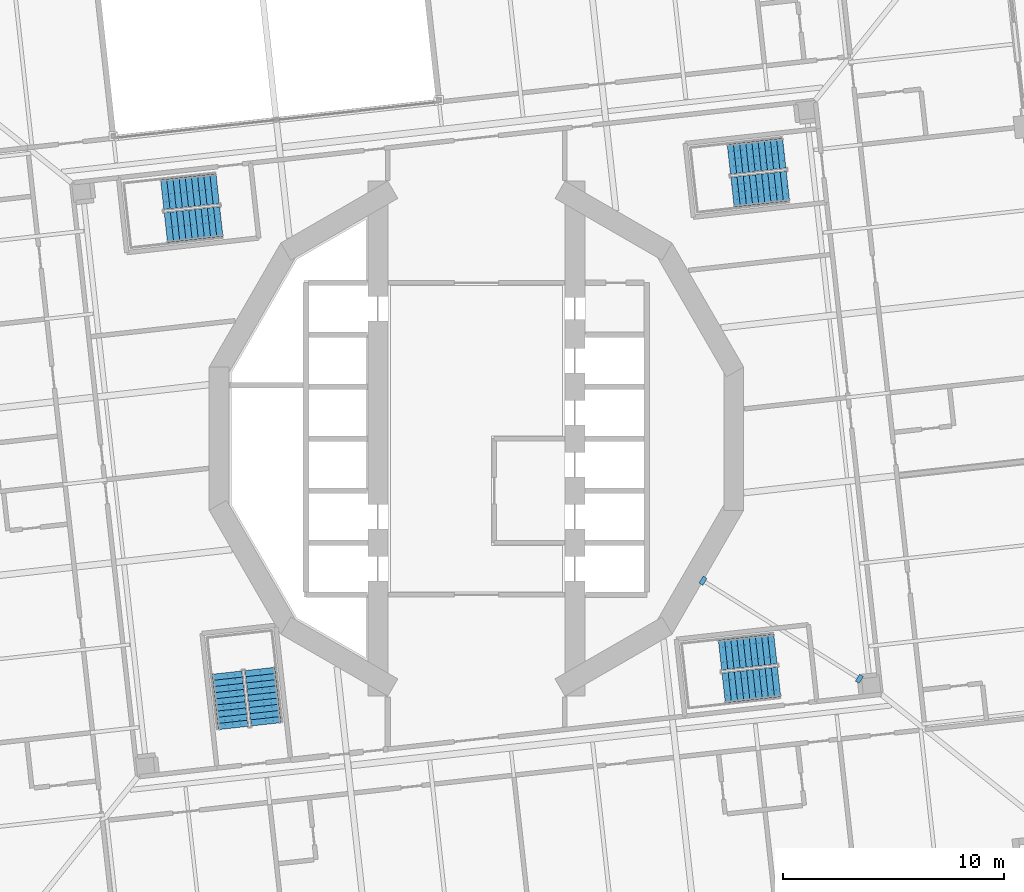
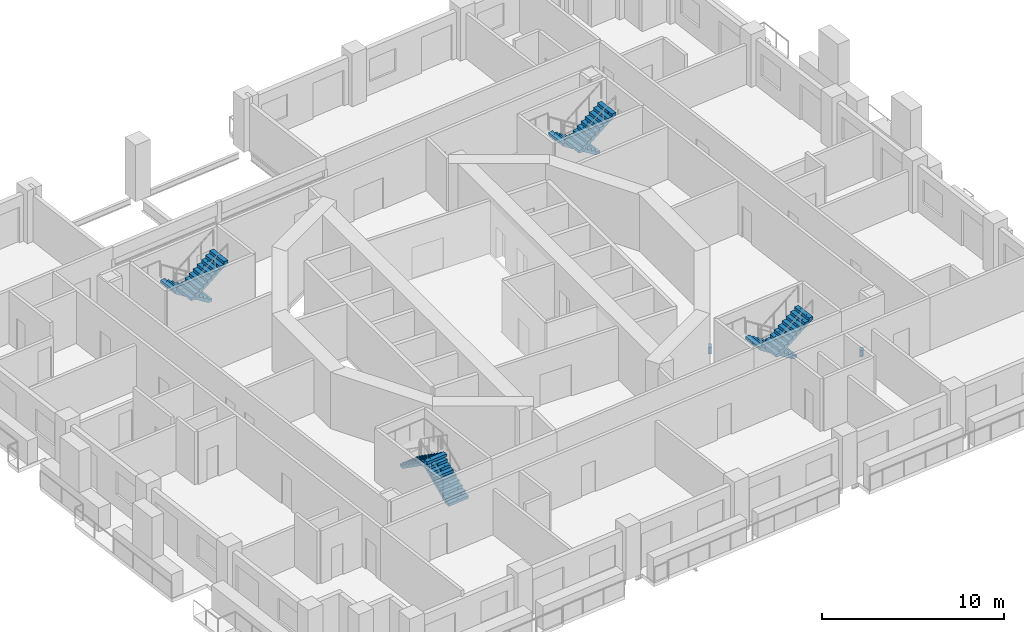
# One storey, part 13 of 21: 8 stair flights, 2 discrete accessories, 4 elements without a shape of their own.
"""IFC4 building model written with IfcOpenShell, lengths in metres."""

from ifc_helpers import new_model, si_unit, direction, frame, origin, place, context, subcontext, project, spatial, polyline, outline, extrude, material, layer, layer_set, type_object, element, aggregate, save


model = new_model("IFC4")

# Units and contexts
model_context = context("Model", 3, precision=1e-05, world=origin(), true_north=direction((0.0, 1.0)))
body_context = subcontext(model_context, "Body", "Model", "MODEL_VIEW")
ifc_project = project(units=[si_unit("LENGTHUNIT", "METRE"), si_unit("AREAUNIT", "SQUARE_METRE"), si_unit("VOLUMEUNIT", "CUBIC_METRE"), si_unit("PLANEANGLEUNIT", "RADIAN"), si_unit("MASSUNIT", "GRAM", prefix="KILO")], contexts=[model_context])

# Site, building, storey
site_placement = place(None, origin())
site = spatial("IfcSite", under=ifc_project, at=site_placement, CompositionType="ELEMENT")
building_placement = place(site_placement, origin())
building = spatial("IfcBuilding", under=site, at=building_placement, Name="Cantera Rosa Tower", CompositionType="ELEMENT")
storey_placement = place(building_placement, frame((0.0, 0.0, 57.699951171875)))
storey = spatial("IfcBuildingStorey", under=building, at=storey_placement, Name="L11", CompositionType="ELEMENT", Elevation=57.699951171875)

# Stair, stair flights
ifc_material_1 = material(Name="Concrete C35/45", Category="concrete")
stair_type = type_object("IfcStairType", Name="EXIT STAIR 1350 DOGLEG", PredefinedType="HALF_TURN_STAIR", material=ifc_material_1)
stair_1_placement = place(storey_placement, origin())
stair_1 = element("IfcStair", 1, at=stair_1_placement, inside=storey, type_object=stair_type, Name="L11 ST-11", PredefinedType="HALF_TURN_STAIR")
ifc_material_2 = material(Name="Concrete C35/45", Category="concrete")
stair_flight_type = type_object("IfcStairFlightType", Name="STAIR FLIGHT 1350 R20x190", PredefinedType="STRAIGHT", material=ifc_material_2)
stair_flight_1_placement = place(storey_placement, frame((13.90869140625, 12.89990234375, 0.0), z_axis=(0.0, 0.0, 1.0), x_axis=(-0.993896947056, -0.110312549749, 0.0)))
stair_flight_1 = element("IfcStairFlight", 2, at=stair_flight_1_placement, type_object=stair_flight_type, Name="ST-11 flight 1", NumberOfRisers=10, NumberOfTreads=9, PredefinedType="STRAIGHT", RiserHeight=0.19, TreadLength=0.28, context=body_context, shape_type="SweptSolid", body=[
    extrude(outline(polyline([(0.0, 0.0), (0.0, 0.18994140625), (0.280029296875, 0.18994140625), (0.280029296875, 0.3798828125), (0.56005859375, 0.3798828125), (0.56005859375, 0.570068359375), (0.840087890625, 0.570068359375), (0.840087890625, 0.760009765625), (1.1201171875, 0.760009765625), (1.1201171875, 0.949951171875), (1.39990234375, 0.949951171875), (1.39990234375, 1.139892578125), (1.679931640625, 1.139892578125), (1.679931640625, 1.330078125), (1.9599609375, 1.330078125), (1.9599609375, 1.52001953125), (2.239990234375, 1.52001953125), (2.239990234375, 1.7099609375), (2.52001953125, 1.7099609375), (2.52001953125, 1.89990234375), (2.52001953125, 1.52880859375), (0.266845703125, 0.0), (0.0, 0.0)])), frame((0.0, 0.675048828125, 0.0), z_axis=(0.0, -1.0, 0.0), x_axis=(1.0, 0.0, 0.0)), (0.0, 0.0, 1.0), 0.3359375),
    extrude(outline(polyline([(0.0, 0.0), (0.0, 0.18994140625), (0.280029296875, 0.18994140625), (0.280029296875, 0.3798828125), (0.56005859375, 0.3798828125), (0.56005859375, 0.570068359375), (0.840087890625, 0.570068359375), (0.840087890625, 0.760009765625), (1.1201171875, 0.760009765625), (1.1201171875, 0.949951171875), (1.39990234375, 0.949951171875), (1.39990234375, 1.139892578125), (1.679931640625, 1.139892578125), (1.679931640625, 1.330078125), (1.9599609375, 1.330078125), (1.9599609375, 1.52001953125), (2.239990234375, 1.52001953125), (2.239990234375, 1.7099609375), (2.52001953125, 1.7099609375), (2.52001953125, 1.89990234375), (2.52001953125, 1.52880859375), (0.266845703125, 0.0), (0.0, 0.0)])), frame((0.0, 0.337158203125, 0.0), z_axis=(0.0, -1.0, 0.0), x_axis=(1.0, 0.0, 0.0)), (0.0, 0.0, 1.0), 0.3359375),
    extrude(outline(polyline([(0.0, 0.0), (0.0, 0.18994140625), (0.280029296875, 0.18994140625), (0.280029296875, 0.3798828125), (0.56005859375, 0.3798828125), (0.56005859375, 0.570068359375), (0.840087890625, 0.570068359375), (0.840087890625, 0.760009765625), (1.1201171875, 0.760009765625), (1.1201171875, 0.949951171875), (1.39990234375, 0.949951171875), (1.39990234375, 1.139892578125), (1.679931640625, 1.139892578125), (1.679931640625, 1.330078125), (1.9599609375, 1.330078125), (1.9599609375, 1.52001953125), (2.239990234375, 1.52001953125), (2.239990234375, 1.7099609375), (2.52001953125, 1.7099609375), (2.52001953125, 1.89990234375), (2.52001953125, 1.52880859375), (0.266845703125, 0.0), (0.0, 0.0)])), frame((0.0, -0.000732421875, 0.0), z_axis=(0.0, -1.0, 0.0), x_axis=(1.0, 0.0, 0.0)), (0.0, 0.0, 1.0), 0.3359375),
    extrude(outline(polyline([(0.0, 0.0), (0.0, 0.18994140625), (0.280029296875, 0.18994140625), (0.280029296875, 0.3798828125), (0.56005859375, 0.3798828125), (0.56005859375, 0.570068359375), (0.840087890625, 0.570068359375), (0.840087890625, 0.760009765625), (1.1201171875, 0.760009765625), (1.1201171875, 0.949951171875), (1.39990234375, 0.949951171875), (1.39990234375, 1.139892578125), (1.679931640625, 1.139892578125), (1.679931640625, 1.330078125), (1.9599609375, 1.330078125), (1.9599609375, 1.52001953125), (2.239990234375, 1.52001953125), (2.239990234375, 1.7099609375), (2.52001953125, 1.7099609375), (2.52001953125, 1.89990234375), (2.52001953125, 1.52880859375), (0.266845703125, 0.0), (0.0, 0.0)])), frame((0.0, -0.338623046875, 0.0), z_axis=(0.0, -1.0, 0.0), x_axis=(1.0, 0.0, 0.0)), (0.0, 0.0, 1.0), 0.3359375),
])
stair_flight_2_placement = place(storey_placement, frame((11.569580078125, 11.131103515625, 1.900146484375), z_axis=(0.0, 0.0, 1.0), x_axis=(0.993896947056, 0.110312549749, 0.0)))
stair_flight_2 = element("IfcStairFlight", 3, at=stair_flight_2_placement, type_object=stair_flight_type, Name="ST-11 flight 2", NumberOfRisers=10, NumberOfTreads=9, PredefinedType="STRAIGHT", RiserHeight=0.19, TreadLength=0.28, context=body_context, shape_type="SweptSolid", body=[
    extrude(outline(polyline([(0.0, 0.0), (0.0, 0.18994140625), (0.280029296875, 0.18994140625), (0.280029296875, 0.3798828125), (0.56005859375, 0.3798828125), (0.56005859375, 0.570068359375), (0.840087890625, 0.570068359375), (0.840087890625, 0.760009765625), (1.1201171875, 0.760009765625), (1.1201171875, 0.949951171875), (1.39990234375, 0.949951171875), (1.39990234375, 1.139892578125), (1.679931640625, 1.139892578125), (1.679931640625, 1.330078125), (1.9599609375, 1.330078125), (1.9599609375, 1.52001953125), (2.239990234375, 1.52001953125), (2.239990234375, 1.7099609375), (2.52001953125, 1.7099609375), (2.52001953125, 1.89990234375), (2.52001953125, 1.52880859375), (0.266845703125, 0.0), (0.0, 0.0)])), frame((0.0, 0.675048828125, 0.0), z_axis=(0.0, -1.0, 0.0), x_axis=(1.0, 0.0, 0.0)), (0.0, 0.0, 1.0), 0.3359375),
    extrude(outline(polyline([(0.0, 0.0), (0.0, 0.18994140625), (0.280029296875, 0.18994140625), (0.280029296875, 0.3798828125), (0.56005859375, 0.3798828125), (0.56005859375, 0.570068359375), (0.840087890625, 0.570068359375), (0.840087890625, 0.760009765625), (1.1201171875, 0.760009765625), (1.1201171875, 0.949951171875), (1.39990234375, 0.949951171875), (1.39990234375, 1.139892578125), (1.679931640625, 1.139892578125), (1.679931640625, 1.330078125), (1.9599609375, 1.330078125), (1.9599609375, 1.52001953125), (2.239990234375, 1.52001953125), (2.239990234375, 1.7099609375), (2.52001953125, 1.7099609375), (2.52001953125, 1.89990234375), (2.52001953125, 1.52880859375), (0.266845703125, 0.0), (0.0, 0.0)])), frame((0.0, 0.337158203125, 0.0), z_axis=(0.0, -1.0, 0.0), x_axis=(1.0, 0.0, 0.0)), (0.0, 0.0, 1.0), 0.3359375),
    extrude(outline(polyline([(0.0, 0.0), (0.0, 0.18994140625), (0.280029296875, 0.18994140625), (0.280029296875, 0.3798828125), (0.56005859375, 0.3798828125), (0.56005859375, 0.570068359375), (0.840087890625, 0.570068359375), (0.840087890625, 0.760009765625), (1.1201171875, 0.760009765625), (1.1201171875, 0.949951171875), (1.39990234375, 0.949951171875), (1.39990234375, 1.139892578125), (1.679931640625, 1.139892578125), (1.679931640625, 1.330078125), (1.9599609375, 1.330078125), (1.9599609375, 1.52001953125), (2.239990234375, 1.52001953125), (2.239990234375, 1.7099609375), (2.52001953125, 1.7099609375), (2.52001953125, 1.89990234375), (2.52001953125, 1.52880859375), (0.266845703125, 0.0), (0.0, 0.0)])), frame((0.0, -0.000732421875, 0.0), z_axis=(0.0, -1.0, 0.0), x_axis=(1.0, 0.0, 0.0)), (0.0, 0.0, 1.0), 0.3359375),
    extrude(outline(polyline([(0.0, 0.0), (0.0, 0.18994140625), (0.280029296875, 0.18994140625), (0.280029296875, 0.3798828125), (0.56005859375, 0.3798828125), (0.56005859375, 0.570068359375), (0.840087890625, 0.570068359375), (0.840087890625, 0.760009765625), (1.1201171875, 0.760009765625), (1.1201171875, 0.949951171875), (1.39990234375, 0.949951171875), (1.39990234375, 1.139892578125), (1.679931640625, 1.139892578125), (1.679931640625, 1.330078125), (1.9599609375, 1.330078125), (1.9599609375, 1.52001953125), (2.239990234375, 1.52001953125), (2.239990234375, 1.7099609375), (2.52001953125, 1.7099609375), (2.52001953125, 1.89990234375), (2.52001953125, 1.52880859375), (0.266845703125, 0.0), (0.0, 0.0)])), frame((0.0, -0.338623046875, 0.0), z_axis=(0.0, -1.0, 0.0), x_axis=(1.0, 0.0, 0.0)), (0.0, 0.0, 1.0), 0.3359375),
])
aggregate(stair_1, [stair_flight_1, stair_flight_2])

stair_2_placement = place(storey_placement, origin())
stair_2 = element("IfcStair", 4, at=stair_2_placement, inside=storey, type_object=stair_type, Name="L11 ST-12", PredefinedType="HALF_TURN_STAIR")
stair_flight_3_placement = place(storey_placement, frame((-11.691162109375, 11.2998046875, 0.0), z_axis=(0.0, 0.0, 1.0), x_axis=(-0.993896947056, -0.110312549749, 0.0)))
stair_flight_3 = element("IfcStairFlight", 5, at=stair_flight_3_placement, type_object=stair_flight_type, Name="ST-12 flight 1", NumberOfRisers=10, NumberOfTreads=9, PredefinedType="STRAIGHT", RiserHeight=0.19, TreadLength=0.28, context=body_context, shape_type="SweptSolid", body=[
    extrude(outline(polyline([(0.0, 0.0), (0.0, 0.18994140625), (0.280029296875, 0.18994140625), (0.280029296875, 0.3798828125), (0.56005859375, 0.3798828125), (0.56005859375, 0.570068359375), (0.840087890625, 0.570068359375), (0.840087890625, 0.760009765625), (1.1201171875, 0.760009765625), (1.1201171875, 0.949951171875), (1.39990234375, 0.949951171875), (1.39990234375, 1.139892578125), (1.679931640625, 1.139892578125), (1.679931640625, 1.330078125), (1.9599609375, 1.330078125), (1.9599609375, 1.52001953125), (2.239990234375, 1.52001953125), (2.239990234375, 1.7099609375), (2.52001953125, 1.7099609375), (2.52001953125, 1.89990234375), (2.52001953125, 1.52880859375), (0.266845703125, 0.0), (0.0, 0.0)])), frame((0.0, 0.675048828125, 0.0), z_axis=(0.0, -1.0, 0.0), x_axis=(1.0, 0.0, 0.0)), (0.0, 0.0, 1.0), 0.3359375),
    extrude(outline(polyline([(0.0, 0.0), (0.0, 0.18994140625), (0.280029296875, 0.18994140625), (0.280029296875, 0.3798828125), (0.56005859375, 0.3798828125), (0.56005859375, 0.570068359375), (0.840087890625, 0.570068359375), (0.840087890625, 0.760009765625), (1.1201171875, 0.760009765625), (1.1201171875, 0.949951171875), (1.39990234375, 0.949951171875), (1.39990234375, 1.139892578125), (1.679931640625, 1.139892578125), (1.679931640625, 1.330078125), (1.9599609375, 1.330078125), (1.9599609375, 1.52001953125), (2.239990234375, 1.52001953125), (2.239990234375, 1.7099609375), (2.52001953125, 1.7099609375), (2.52001953125, 1.89990234375), (2.52001953125, 1.52880859375), (0.266845703125, 0.0), (0.0, 0.0)])), frame((0.0, 0.337158203125, 0.0), z_axis=(0.0, -1.0, 0.0), x_axis=(1.0, 0.0, 0.0)), (0.0, 0.0, 1.0), 0.3359375),
    extrude(outline(polyline([(0.0, 0.0), (0.0, 0.18994140625), (0.280029296875, 0.18994140625), (0.280029296875, 0.3798828125), (0.56005859375, 0.3798828125), (0.56005859375, 0.570068359375), (0.840087890625, 0.570068359375), (0.840087890625, 0.760009765625), (1.1201171875, 0.760009765625), (1.1201171875, 0.949951171875), (1.39990234375, 0.949951171875), (1.39990234375, 1.139892578125), (1.679931640625, 1.139892578125), (1.679931640625, 1.330078125), (1.9599609375, 1.330078125), (1.9599609375, 1.52001953125), (2.239990234375, 1.52001953125), (2.239990234375, 1.7099609375), (2.52001953125, 1.7099609375), (2.52001953125, 1.89990234375), (2.52001953125, 1.52880859375), (0.266845703125, 0.0), (0.0, 0.0)])), frame((0.0, -0.000732421875, 0.0), z_axis=(0.0, -1.0, 0.0), x_axis=(1.0, 0.0, 0.0)), (0.0, 0.0, 1.0), 0.3359375),
    extrude(outline(polyline([(0.0, 0.0), (0.0, 0.18994140625), (0.280029296875, 0.18994140625), (0.280029296875, 0.3798828125), (0.56005859375, 0.3798828125), (0.56005859375, 0.570068359375), (0.840087890625, 0.570068359375), (0.840087890625, 0.760009765625), (1.1201171875, 0.760009765625), (1.1201171875, 0.949951171875), (1.39990234375, 0.949951171875), (1.39990234375, 1.139892578125), (1.679931640625, 1.139892578125), (1.679931640625, 1.330078125), (1.9599609375, 1.330078125), (1.9599609375, 1.52001953125), (2.239990234375, 1.52001953125), (2.239990234375, 1.7099609375), (2.52001953125, 1.7099609375), (2.52001953125, 1.89990234375), (2.52001953125, 1.52880859375), (0.266845703125, 0.0), (0.0, 0.0)])), frame((0.0, -0.338623046875, 0.0), z_axis=(0.0, -1.0, 0.0), x_axis=(1.0, 0.0, 0.0)), (0.0, 0.0, 1.0), 0.3359375),
])
stair_flight_4_placement = place(storey_placement, frame((-14.030517578125, 9.531005859375, 1.900146484375), z_axis=(0.0, 0.0, 1.0), x_axis=(0.993896947056, 0.110312549749, 0.0)))
stair_flight_4 = element("IfcStairFlight", 6, at=stair_flight_4_placement, type_object=stair_flight_type, Name="ST-12 flight 2", NumberOfRisers=10, NumberOfTreads=9, PredefinedType="STRAIGHT", RiserHeight=0.19, TreadLength=0.28, context=body_context, shape_type="SweptSolid", body=[
    extrude(outline(polyline([(0.0, 0.0), (0.0, 0.18994140625), (0.280029296875, 0.18994140625), (0.280029296875, 0.3798828125), (0.56005859375, 0.3798828125), (0.56005859375, 0.570068359375), (0.840087890625, 0.570068359375), (0.840087890625, 0.760009765625), (1.1201171875, 0.760009765625), (1.1201171875, 0.949951171875), (1.39990234375, 0.949951171875), (1.39990234375, 1.139892578125), (1.679931640625, 1.139892578125), (1.679931640625, 1.330078125), (1.9599609375, 1.330078125), (1.9599609375, 1.52001953125), (2.239990234375, 1.52001953125), (2.239990234375, 1.7099609375), (2.52001953125, 1.7099609375), (2.52001953125, 1.89990234375), (2.52001953125, 1.52880859375), (0.266845703125, 0.0), (0.0, 0.0)])), frame((0.0, 0.675048828125, 0.0), z_axis=(0.0, -1.0, 0.0), x_axis=(1.0, 0.0, 0.0)), (0.0, 0.0, 1.0), 0.3359375),
    extrude(outline(polyline([(0.0, 0.0), (0.0, 0.18994140625), (0.280029296875, 0.18994140625), (0.280029296875, 0.3798828125), (0.56005859375, 0.3798828125), (0.56005859375, 0.570068359375), (0.840087890625, 0.570068359375), (0.840087890625, 0.760009765625), (1.1201171875, 0.760009765625), (1.1201171875, 0.949951171875), (1.39990234375, 0.949951171875), (1.39990234375, 1.139892578125), (1.679931640625, 1.139892578125), (1.679931640625, 1.330078125), (1.9599609375, 1.330078125), (1.9599609375, 1.52001953125), (2.239990234375, 1.52001953125), (2.239990234375, 1.7099609375), (2.52001953125, 1.7099609375), (2.52001953125, 1.89990234375), (2.52001953125, 1.52880859375), (0.266845703125, 0.0), (0.0, 0.0)])), frame((0.0, 0.337158203125, 0.0), z_axis=(0.0, -1.0, 0.0), x_axis=(1.0, 0.0, 0.0)), (0.0, 0.0, 1.0), 0.3359375),
    extrude(outline(polyline([(0.0, 0.0), (0.0, 0.18994140625), (0.280029296875, 0.18994140625), (0.280029296875, 0.3798828125), (0.56005859375, 0.3798828125), (0.56005859375, 0.570068359375), (0.840087890625, 0.570068359375), (0.840087890625, 0.760009765625), (1.1201171875, 0.760009765625), (1.1201171875, 0.949951171875), (1.39990234375, 0.949951171875), (1.39990234375, 1.139892578125), (1.679931640625, 1.139892578125), (1.679931640625, 1.330078125), (1.9599609375, 1.330078125), (1.9599609375, 1.52001953125), (2.239990234375, 1.52001953125), (2.239990234375, 1.7099609375), (2.52001953125, 1.7099609375), (2.52001953125, 1.89990234375), (2.52001953125, 1.52880859375), (0.266845703125, 0.0), (0.0, 0.0)])), frame((0.0, -0.000732421875, 0.0), z_axis=(0.0, -1.0, 0.0), x_axis=(1.0, 0.0, 0.0)), (0.0, 0.0, 1.0), 0.3359375),
    extrude(outline(polyline([(0.0, 0.0), (0.0, 0.18994140625), (0.280029296875, 0.18994140625), (0.280029296875, 0.3798828125), (0.56005859375, 0.3798828125), (0.56005859375, 0.570068359375), (0.840087890625, 0.570068359375), (0.840087890625, 0.760009765625), (1.1201171875, 0.760009765625), (1.1201171875, 0.949951171875), (1.39990234375, 0.949951171875), (1.39990234375, 1.139892578125), (1.679931640625, 1.139892578125), (1.679931640625, 1.330078125), (1.9599609375, 1.330078125), (1.9599609375, 1.52001953125), (2.239990234375, 1.52001953125), (2.239990234375, 1.7099609375), (2.52001953125, 1.7099609375), (2.52001953125, 1.89990234375), (2.52001953125, 1.52880859375), (0.266845703125, 0.0), (0.0, 0.0)])), frame((0.0, -0.338623046875, 0.0), z_axis=(0.0, -1.0, 0.0), x_axis=(1.0, 0.0, 0.0)), (0.0, 0.0, 1.0), 0.3359375),
])
aggregate(stair_2, [stair_flight_3, stair_flight_4])

stair_3_placement = place(storey_placement, origin())
stair_3 = element("IfcStair", 7, at=stair_3_placement, inside=storey, type_object=stair_type, Name="L11 ST-13", PredefinedType="HALF_TURN_STAIR")
stair_flight_5_placement = place(storey_placement, frame((-9.500244140625, -12.90869140625, 0.0), z_axis=(0.0, 0.0, 1.0), x_axis=(-0.110312549749, 0.993896947056, 0.0)))
stair_flight_5 = element("IfcStairFlight", 8, at=stair_flight_5_placement, type_object=stair_flight_type, Name="ST-13 flight 1", NumberOfRisers=10, NumberOfTreads=9, PredefinedType="STRAIGHT", RiserHeight=0.19, TreadLength=0.28, context=body_context, shape_type="SweptSolid", body=[
    extrude(outline(polyline([(0.0, 0.0), (0.0, 0.18994140625), (0.280029296875, 0.18994140625), (0.280029296875, 0.3798828125), (0.56005859375, 0.3798828125), (0.56005859375, 0.570068359375), (0.840087890625, 0.570068359375), (0.840087890625, 0.760009765625), (1.1201171875, 0.760009765625), (1.1201171875, 0.949951171875), (1.39990234375, 0.949951171875), (1.39990234375, 1.139892578125), (1.679931640625, 1.139892578125), (1.679931640625, 1.330078125), (1.9599609375, 1.330078125), (1.9599609375, 1.52001953125), (2.239990234375, 1.52001953125), (2.239990234375, 1.7099609375), (2.52001953125, 1.7099609375), (2.52001953125, 1.89990234375), (2.52001953125, 1.52880859375), (0.266845703125, 0.0), (0.0, 0.0)])), frame((0.0, 0.675048828125, 0.0), z_axis=(0.0, -1.0, 0.0), x_axis=(1.0, 0.0, 0.0)), (0.0, 0.0, 1.0), 0.3359375),
    extrude(outline(polyline([(0.0, 0.0), (0.0, 0.18994140625), (0.280029296875, 0.18994140625), (0.280029296875, 0.3798828125), (0.56005859375, 0.3798828125), (0.56005859375, 0.570068359375), (0.840087890625, 0.570068359375), (0.840087890625, 0.760009765625), (1.1201171875, 0.760009765625), (1.1201171875, 0.949951171875), (1.39990234375, 0.949951171875), (1.39990234375, 1.139892578125), (1.679931640625, 1.139892578125), (1.679931640625, 1.330078125), (1.9599609375, 1.330078125), (1.9599609375, 1.52001953125), (2.239990234375, 1.52001953125), (2.239990234375, 1.7099609375), (2.52001953125, 1.7099609375), (2.52001953125, 1.89990234375), (2.52001953125, 1.52880859375), (0.266845703125, 0.0), (0.0, 0.0)])), frame((0.0, 0.337158203125, 0.0), z_axis=(0.0, -1.0, 0.0), x_axis=(1.0, 0.0, 0.0)), (0.0, 0.0, 1.0), 0.3359375),
    extrude(outline(polyline([(0.0, 0.0), (0.0, 0.18994140625), (0.280029296875, 0.18994140625), (0.280029296875, 0.3798828125), (0.56005859375, 0.3798828125), (0.56005859375, 0.570068359375), (0.840087890625, 0.570068359375), (0.840087890625, 0.760009765625), (1.1201171875, 0.760009765625), (1.1201171875, 0.949951171875), (1.39990234375, 0.949951171875), (1.39990234375, 1.139892578125), (1.679931640625, 1.139892578125), (1.679931640625, 1.330078125), (1.9599609375, 1.330078125), (1.9599609375, 1.52001953125), (2.239990234375, 1.52001953125), (2.239990234375, 1.7099609375), (2.52001953125, 1.7099609375), (2.52001953125, 1.89990234375), (2.52001953125, 1.52880859375), (0.266845703125, 0.0), (0.0, 0.0)])), frame((0.0, -0.000732421875, 0.0), z_axis=(0.0, -1.0, 0.0), x_axis=(1.0, 0.0, 0.0)), (0.0, 0.0, 1.0), 0.3359375),
    extrude(outline(polyline([(0.0, 0.0), (0.0, 0.18994140625), (0.280029296875, 0.18994140625), (0.280029296875, 0.3798828125), (0.56005859375, 0.3798828125), (0.56005859375, 0.570068359375), (0.840087890625, 0.570068359375), (0.840087890625, 0.760009765625), (1.1201171875, 0.760009765625), (1.1201171875, 0.949951171875), (1.39990234375, 0.949951171875), (1.39990234375, 1.139892578125), (1.679931640625, 1.139892578125), (1.679931640625, 1.330078125), (1.9599609375, 1.330078125), (1.9599609375, 1.52001953125), (2.239990234375, 1.52001953125), (2.239990234375, 1.7099609375), (2.52001953125, 1.7099609375), (2.52001953125, 1.89990234375), (2.52001953125, 1.52880859375), (0.266845703125, 0.0), (0.0, 0.0)])), frame((0.0, -0.338623046875, 0.0), z_axis=(0.0, -1.0, 0.0), x_axis=(1.0, 0.0, 0.0)), (0.0, 0.0, 1.0), 0.3359375),
])
stair_flight_6_placement = place(storey_placement, frame((-11.26904296875, -10.569580078125, 1.900146484375), z_axis=(0.0, 0.0, 1.0), x_axis=(0.110312549749, -0.993896947056, 0.0)))
stair_flight_6 = element("IfcStairFlight", 9, at=stair_flight_6_placement, type_object=stair_flight_type, Name="ST-13 flight 2", NumberOfRisers=10, NumberOfTreads=9, PredefinedType="STRAIGHT", RiserHeight=0.19, TreadLength=0.28, context=body_context, shape_type="SweptSolid", body=[
    extrude(outline(polyline([(0.0, 0.0), (0.0, 0.18994140625), (0.280029296875, 0.18994140625), (0.280029296875, 0.3798828125), (0.56005859375, 0.3798828125), (0.56005859375, 0.570068359375), (0.840087890625, 0.570068359375), (0.840087890625, 0.760009765625), (1.1201171875, 0.760009765625), (1.1201171875, 0.949951171875), (1.39990234375, 0.949951171875), (1.39990234375, 1.139892578125), (1.679931640625, 1.139892578125), (1.679931640625, 1.330078125), (1.9599609375, 1.330078125), (1.9599609375, 1.52001953125), (2.239990234375, 1.52001953125), (2.239990234375, 1.7099609375), (2.52001953125, 1.7099609375), (2.52001953125, 1.89990234375), (2.52001953125, 1.52880859375), (0.266845703125, 0.0), (0.0, 0.0)])), frame((0.0, 0.675048828125, 0.0), z_axis=(0.0, -1.0, 0.0), x_axis=(1.0, 0.0, 0.0)), (0.0, 0.0, 1.0), 0.3359375),
    extrude(outline(polyline([(0.0, 0.0), (0.0, 0.18994140625), (0.280029296875, 0.18994140625), (0.280029296875, 0.3798828125), (0.56005859375, 0.3798828125), (0.56005859375, 0.570068359375), (0.840087890625, 0.570068359375), (0.840087890625, 0.760009765625), (1.1201171875, 0.760009765625), (1.1201171875, 0.949951171875), (1.39990234375, 0.949951171875), (1.39990234375, 1.139892578125), (1.679931640625, 1.139892578125), (1.679931640625, 1.330078125), (1.9599609375, 1.330078125), (1.9599609375, 1.52001953125), (2.239990234375, 1.52001953125), (2.239990234375, 1.7099609375), (2.52001953125, 1.7099609375), (2.52001953125, 1.89990234375), (2.52001953125, 1.52880859375), (0.266845703125, 0.0), (0.0, 0.0)])), frame((0.0, 0.337158203125, 0.0), z_axis=(0.0, -1.0, 0.0), x_axis=(1.0, 0.0, 0.0)), (0.0, 0.0, 1.0), 0.3359375),
    extrude(outline(polyline([(0.0, 0.0), (0.0, 0.18994140625), (0.280029296875, 0.18994140625), (0.280029296875, 0.3798828125), (0.56005859375, 0.3798828125), (0.56005859375, 0.570068359375), (0.840087890625, 0.570068359375), (0.840087890625, 0.760009765625), (1.1201171875, 0.760009765625), (1.1201171875, 0.949951171875), (1.39990234375, 0.949951171875), (1.39990234375, 1.139892578125), (1.679931640625, 1.139892578125), (1.679931640625, 1.330078125), (1.9599609375, 1.330078125), (1.9599609375, 1.52001953125), (2.239990234375, 1.52001953125), (2.239990234375, 1.7099609375), (2.52001953125, 1.7099609375), (2.52001953125, 1.89990234375), (2.52001953125, 1.52880859375), (0.266845703125, 0.0), (0.0, 0.0)])), frame((0.0, -0.000732421875, 0.0), z_axis=(0.0, -1.0, 0.0), x_axis=(1.0, 0.0, 0.0)), (0.0, 0.0, 1.0), 0.3359375),
    extrude(outline(polyline([(0.0, 0.0), (0.0, 0.18994140625), (0.280029296875, 0.18994140625), (0.280029296875, 0.3798828125), (0.56005859375, 0.3798828125), (0.56005859375, 0.570068359375), (0.840087890625, 0.570068359375), (0.840087890625, 0.760009765625), (1.1201171875, 0.760009765625), (1.1201171875, 0.949951171875), (1.39990234375, 0.949951171875), (1.39990234375, 1.139892578125), (1.679931640625, 1.139892578125), (1.679931640625, 1.330078125), (1.9599609375, 1.330078125), (1.9599609375, 1.52001953125), (2.239990234375, 1.52001953125), (2.239990234375, 1.7099609375), (2.52001953125, 1.7099609375), (2.52001953125, 1.89990234375), (2.52001953125, 1.52880859375), (0.266845703125, 0.0), (0.0, 0.0)])), frame((0.0, -0.338623046875, 0.0), z_axis=(0.0, -1.0, 0.0), x_axis=(1.0, 0.0, 0.0)), (0.0, 0.0, 1.0), 0.3359375),
])
aggregate(stair_3, [stair_flight_5, stair_flight_6])

stair_4_placement = place(storey_placement, origin())
stair_4 = element("IfcStair", 10, at=stair_4_placement, inside=storey, type_object=stair_type, Name="L11 ST-14", PredefinedType="HALF_TURN_STAIR")
stair_flight_7_placement = place(storey_placement, frame((13.5087890625, -9.500244140625, 0.0), z_axis=(0.0, 0.0, 1.0), x_axis=(-0.993896947056, -0.110312549749, 0.0)))
stair_flight_7 = element("IfcStairFlight", 11, at=stair_flight_7_placement, type_object=stair_flight_type, Name="ST-14 flight 1", NumberOfRisers=10, NumberOfTreads=9, PredefinedType="STRAIGHT", RiserHeight=0.19, TreadLength=0.28, context=body_context, shape_type="SweptSolid", body=[
    extrude(outline(polyline([(0.0, 0.0), (0.0, 0.18994140625), (0.280029296875, 0.18994140625), (0.280029296875, 0.3798828125), (0.56005859375, 0.3798828125), (0.56005859375, 0.570068359375), (0.840087890625, 0.570068359375), (0.840087890625, 0.760009765625), (1.1201171875, 0.760009765625), (1.1201171875, 0.949951171875), (1.39990234375, 0.949951171875), (1.39990234375, 1.139892578125), (1.679931640625, 1.139892578125), (1.679931640625, 1.330078125), (1.9599609375, 1.330078125), (1.9599609375, 1.52001953125), (2.239990234375, 1.52001953125), (2.239990234375, 1.7099609375), (2.52001953125, 1.7099609375), (2.52001953125, 1.89990234375), (2.52001953125, 1.52880859375), (0.266845703125, 0.0), (0.0, 0.0)])), frame((0.0, 0.675048828125, 0.0), z_axis=(0.0, -1.0, 0.0), x_axis=(1.0, 0.0, 0.0)), (0.0, 0.0, 1.0), 0.3359375),
    extrude(outline(polyline([(0.0, 0.0), (0.0, 0.18994140625), (0.280029296875, 0.18994140625), (0.280029296875, 0.3798828125), (0.56005859375, 0.3798828125), (0.56005859375, 0.570068359375), (0.840087890625, 0.570068359375), (0.840087890625, 0.760009765625), (1.1201171875, 0.760009765625), (1.1201171875, 0.949951171875), (1.39990234375, 0.949951171875), (1.39990234375, 1.139892578125), (1.679931640625, 1.139892578125), (1.679931640625, 1.330078125), (1.9599609375, 1.330078125), (1.9599609375, 1.52001953125), (2.239990234375, 1.52001953125), (2.239990234375, 1.7099609375), (2.52001953125, 1.7099609375), (2.52001953125, 1.89990234375), (2.52001953125, 1.52880859375), (0.266845703125, 0.0), (0.0, 0.0)])), frame((0.0, 0.337158203125, 0.0), z_axis=(0.0, -1.0, 0.0), x_axis=(1.0, 0.0, 0.0)), (0.0, 0.0, 1.0), 0.3359375),
    extrude(outline(polyline([(0.0, 0.0), (0.0, 0.18994140625), (0.280029296875, 0.18994140625), (0.280029296875, 0.3798828125), (0.56005859375, 0.3798828125), (0.56005859375, 0.570068359375), (0.840087890625, 0.570068359375), (0.840087890625, 0.760009765625), (1.1201171875, 0.760009765625), (1.1201171875, 0.949951171875), (1.39990234375, 0.949951171875), (1.39990234375, 1.139892578125), (1.679931640625, 1.139892578125), (1.679931640625, 1.330078125), (1.9599609375, 1.330078125), (1.9599609375, 1.52001953125), (2.239990234375, 1.52001953125), (2.239990234375, 1.7099609375), (2.52001953125, 1.7099609375), (2.52001953125, 1.89990234375), (2.52001953125, 1.52880859375), (0.266845703125, 0.0), (0.0, 0.0)])), frame((0.0, -0.000732421875, 0.0), z_axis=(0.0, -1.0, 0.0), x_axis=(1.0, 0.0, 0.0)), (0.0, 0.0, 1.0), 0.3359375),
    extrude(outline(polyline([(0.0, 0.0), (0.0, 0.18994140625), (0.280029296875, 0.18994140625), (0.280029296875, 0.3798828125), (0.56005859375, 0.3798828125), (0.56005859375, 0.570068359375), (0.840087890625, 0.570068359375), (0.840087890625, 0.760009765625), (1.1201171875, 0.760009765625), (1.1201171875, 0.949951171875), (1.39990234375, 0.949951171875), (1.39990234375, 1.139892578125), (1.679931640625, 1.139892578125), (1.679931640625, 1.330078125), (1.9599609375, 1.330078125), (1.9599609375, 1.52001953125), (2.239990234375, 1.52001953125), (2.239990234375, 1.7099609375), (2.52001953125, 1.7099609375), (2.52001953125, 1.89990234375), (2.52001953125, 1.52880859375), (0.266845703125, 0.0), (0.0, 0.0)])), frame((0.0, -0.338623046875, 0.0), z_axis=(0.0, -1.0, 0.0), x_axis=(1.0, 0.0, 0.0)), (0.0, 0.0, 1.0), 0.3359375),
])
stair_flight_8_placement = place(storey_placement, frame((11.169677734375, -11.26904296875, 1.900146484375), z_axis=(0.0, 0.0, 1.0), x_axis=(0.993896947056, 0.110312549749, 0.0)))
stair_flight_8 = element("IfcStairFlight", 12, at=stair_flight_8_placement, type_object=stair_flight_type, Name="ST-14 flight 2", NumberOfRisers=10, NumberOfTreads=9, PredefinedType="STRAIGHT", RiserHeight=0.19, TreadLength=0.28, context=body_context, shape_type="SweptSolid", body=[
    extrude(outline(polyline([(0.0, 0.0), (0.0, 0.18994140625), (0.280029296875, 0.18994140625), (0.280029296875, 0.3798828125), (0.56005859375, 0.3798828125), (0.56005859375, 0.570068359375), (0.840087890625, 0.570068359375), (0.840087890625, 0.760009765625), (1.1201171875, 0.760009765625), (1.1201171875, 0.949951171875), (1.39990234375, 0.949951171875), (1.39990234375, 1.139892578125), (1.679931640625, 1.139892578125), (1.679931640625, 1.330078125), (1.9599609375, 1.330078125), (1.9599609375, 1.52001953125), (2.239990234375, 1.52001953125), (2.239990234375, 1.7099609375), (2.52001953125, 1.7099609375), (2.52001953125, 1.89990234375), (2.52001953125, 1.52880859375), (0.266845703125, 0.0), (0.0, 0.0)])), frame((0.0, 0.675048828125, 0.0), z_axis=(0.0, -1.0, 0.0), x_axis=(1.0, 0.0, 0.0)), (0.0, 0.0, 1.0), 0.3359375),
    extrude(outline(polyline([(0.0, 0.0), (0.0, 0.18994140625), (0.280029296875, 0.18994140625), (0.280029296875, 0.3798828125), (0.56005859375, 0.3798828125), (0.56005859375, 0.570068359375), (0.840087890625, 0.570068359375), (0.840087890625, 0.760009765625), (1.1201171875, 0.760009765625), (1.1201171875, 0.949951171875), (1.39990234375, 0.949951171875), (1.39990234375, 1.139892578125), (1.679931640625, 1.139892578125), (1.679931640625, 1.330078125), (1.9599609375, 1.330078125), (1.9599609375, 1.52001953125), (2.239990234375, 1.52001953125), (2.239990234375, 1.7099609375), (2.52001953125, 1.7099609375), (2.52001953125, 1.89990234375), (2.52001953125, 1.52880859375), (0.266845703125, 0.0), (0.0, 0.0)])), frame((0.0, 0.337158203125, 0.0), z_axis=(0.0, -1.0, 0.0), x_axis=(1.0, 0.0, 0.0)), (0.0, 0.0, 1.0), 0.3359375),
    extrude(outline(polyline([(0.0, 0.0), (0.0, 0.18994140625), (0.280029296875, 0.18994140625), (0.280029296875, 0.3798828125), (0.56005859375, 0.3798828125), (0.56005859375, 0.570068359375), (0.840087890625, 0.570068359375), (0.840087890625, 0.760009765625), (1.1201171875, 0.760009765625), (1.1201171875, 0.949951171875), (1.39990234375, 0.949951171875), (1.39990234375, 1.139892578125), (1.679931640625, 1.139892578125), (1.679931640625, 1.330078125), (1.9599609375, 1.330078125), (1.9599609375, 1.52001953125), (2.239990234375, 1.52001953125), (2.239990234375, 1.7099609375), (2.52001953125, 1.7099609375), (2.52001953125, 1.89990234375), (2.52001953125, 1.52880859375), (0.266845703125, 0.0), (0.0, 0.0)])), frame((0.0, -0.000732421875, 0.0), z_axis=(0.0, -1.0, 0.0), x_axis=(1.0, 0.0, 0.0)), (0.0, 0.0, 1.0), 0.3359375),
    extrude(outline(polyline([(0.0, 0.0), (0.0, 0.18994140625), (0.280029296875, 0.18994140625), (0.280029296875, 0.3798828125), (0.56005859375, 0.3798828125), (0.56005859375, 0.570068359375), (0.840087890625, 0.570068359375), (0.840087890625, 0.760009765625), (1.1201171875, 0.760009765625), (1.1201171875, 0.949951171875), (1.39990234375, 0.949951171875), (1.39990234375, 1.139892578125), (1.679931640625, 1.139892578125), (1.679931640625, 1.330078125), (1.9599609375, 1.330078125), (1.9599609375, 1.52001953125), (2.239990234375, 1.52001953125), (2.239990234375, 1.7099609375), (2.52001953125, 1.7099609375), (2.52001953125, 1.89990234375), (2.52001953125, 1.52880859375), (0.266845703125, 0.0), (0.0, 0.0)])), frame((0.0, -0.338623046875, 0.0), z_axis=(0.0, -1.0, 0.0), x_axis=(1.0, 0.0, 0.0)), (0.0, 0.0, 1.0), 0.3359375),
])
aggregate(stair_4, [stair_flight_7, stair_flight_8])

# Discrete accessories
ifc_material_3 = material(Name="Steel ASTM A992 (Fy 345 MPa)", Category="steel")
ifc_layer = layer(ifc_material_3, 0.0400390625)
ifc_layer_set = layer_set([ifc_layer], Name="STEEL BEARING PLATE 40")
discrete_accessory_type = type_object("IfcDiscreteAccessoryType", Name="STEEL BEARING PLATE 40", PredefinedType="ANCHORPLATE", material=ifc_layer_set)
discrete_accessory_1_placement = place(storey_placement, frame((0.0, 0.0, -0.72802734375)))
element("IfcDiscreteAccessory", 13, at=discrete_accessory_1_placement, inside=storey, type_object=discrete_accessory_type, Name="BEARING PLATE PG-Z1-01 end 1 L11", PredefinedType="ANCHORPLATE", context=body_context, shape_type="SweptSolid", body=[
    extrude(outline(polyline([(17.12060546875, -10.952392578125), (17.2900390625, -11.05859375), (17.484619140625, -10.74853515625), (17.315185546875, -10.642333984375), (17.12060546875, -10.952392578125)])), origin(), (0.0, 0.0, 1.0), 0.427978515625),
])
discrete_accessory_2_placement = place(storey_placement, frame((0.0, 0.0, -0.72802734375)))
element("IfcDiscreteAccessory", 14, at=discrete_accessory_2_placement, inside=storey, type_object=discrete_accessory_type, Name="BEARING PLATE PG-Z1-01 end 2 L11", PredefinedType="ANCHORPLATE", context=body_context, shape_type="SweptSolid", body=[
    extrude(outline(polyline([(10.41796875, -6.317138671875), (10.248291015625, -6.210693359375), (10.053955078125, -6.52099609375), (10.223388671875, -6.627197265625), (10.41796875, -6.317138671875)])), origin(), (0.0, 0.0, 1.0), 0.427978515625),
])

save(model, "model.ifc")
